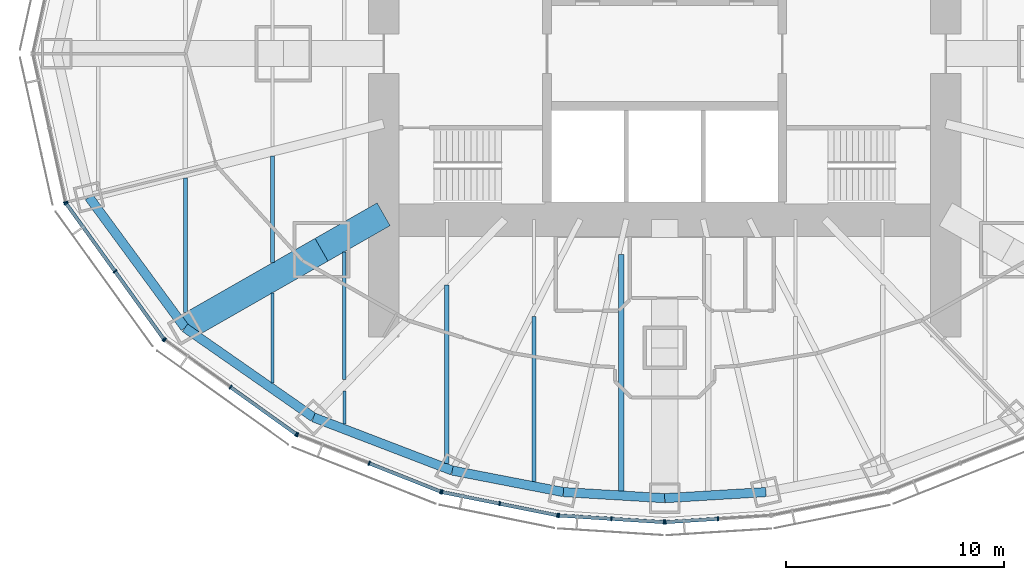
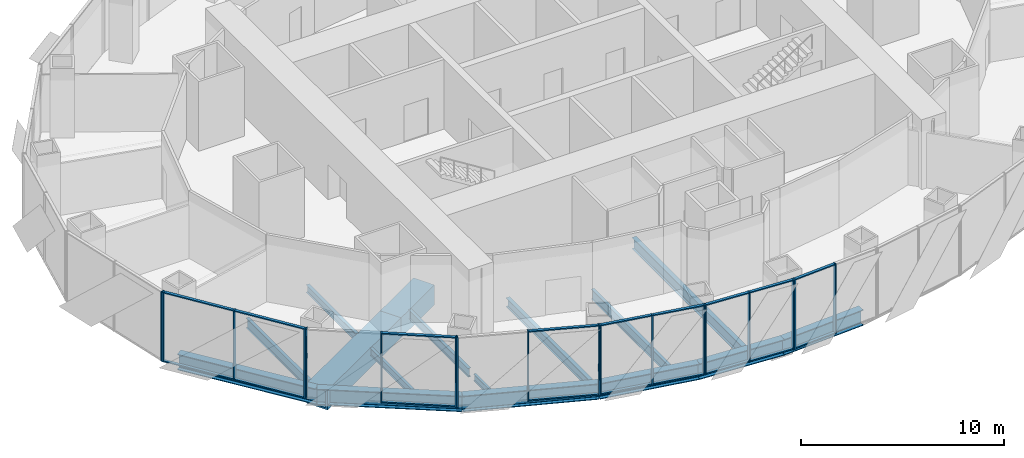
# One storey, part 2 of 17: 36 members, 16 beams, 7 elements without a shape of their own.
"""IFC4 building model written with IfcOpenShell, lengths in metres."""

from ifc_helpers import new_model, si_unit, direction, frame, origin, origin_2d, place, context, subcontext, project, spatial, rectangle, hollow_rectangle, i_section, extrude, material, material_profile, profile_set, type_object, element, aggregate, save


model = new_model("IFC4")

# Units and contexts
model_context = context("Model", 3, precision=1e-05, world=origin(), true_north=direction((0.0, 1.0)))
body_context = subcontext(model_context, "Body", "Model", "MODEL_VIEW")
ifc_project = project(units=[si_unit("LENGTHUNIT", "METRE"), si_unit("AREAUNIT", "SQUARE_METRE"), si_unit("VOLUMEUNIT", "CUBIC_METRE"), si_unit("PLANEANGLEUNIT", "RADIAN"), si_unit("MASSUNIT", "GRAM", prefix="KILO")], contexts=[model_context])

# Site, building, storey
site_placement = place(None, origin())
site = spatial("IfcSite", under=ifc_project, at=site_placement, CompositionType="ELEMENT")
building_placement = place(site_placement, origin())
building = spatial("IfcBuilding", under=site, at=building_placement, Name="Lantaw Convention Tower", CompositionType="ELEMENT")
storey_placement = place(building_placement, frame((0.0, 0.0, 117.39990234375)))
storey = spatial("IfcBuildingStorey", under=building, at=storey_placement, Name="L27", CompositionType="ELEMENT", Elevation=117.39990234375)

# Beams
ifc_material_1 = material(Name="Steel ASTM A992", Category="steel")
ifc_material_profile_1 = material_profile(ifc_material_1, i_section(OverallWidth=0.424072265625, OverallDepth=0.947509765625, WebThickness=0.02392578125, FlangeThickness=0.042724609375, FilletRadius=0.012451171875, at=origin_2d()), Name="W36X302")
ifc_profile_set_1 = profile_set([ifc_material_profile_1], Name="Steel ASTM A992")
beam_type_1 = type_object("IfcBeamType", Name="Beam BC W36X302", PredefinedType="SPANDREL", material=ifc_profile_set_1)
beam_1_placement = place(storey_placement, frame((-26.419921875, -6.587158203125, -0.62353515625), z_axis=(0.5923891972, -0.805651934176, 0.0), x_axis=(0.805651934176, 0.5923891972, 0.0)))
element("IfcBeam", 1, at=beam_1_placement, inside=storey, type_object=beam_type_1, Name="Belt truss chord 14", PredefinedType="SPANDREL", context=body_context, shape_type="SweptSolid", body=[
    extrude(i_section(OverallWidth=0.424072265625, OverallDepth=0.947509765625, WebThickness=0.02392578125, FlangeThickness=0.042724609375, FilletRadius=0.012451171875, at=origin_2d()), origin(), (0.0, 0.0, 1.0), 7.437744140625),
])
beam_2_placement = place(storey_placement, frame((-22.013916015625, -12.579345703125, -0.62353515625), z_axis=(0.820310765287, -0.57191804339, 0.0), x_axis=(0.57191804339, 0.820310765287, 0.0)))
element("IfcBeam", 2, at=beam_2_placement, inside=storey, type_object=beam_type_1, Name="Belt truss chord 15", PredefinedType="SPANDREL", context=body_context, shape_type="SweptSolid", body=[
    extrude(i_section(OverallWidth=0.424072265625, OverallDepth=0.947509765625, WebThickness=0.02392578125, FlangeThickness=0.042724609375, FilletRadius=0.012451171875, at=origin_2d()), origin(), (0.0, 0.0, 1.0), 7.187744140625),
])
beam_3_placement = place(storey_placement, frame((-16.11767578125, -16.690185546875, -0.62353515625), z_axis=(0.933691081977, -0.358079549033, 0.0), x_axis=(0.358079549033, 0.933691081977, 0.0)))
element("IfcBeam", 3, at=beam_3_placement, inside=storey, type_object=beam_type_1, Name="Belt truss chord 16", PredefinedType="SPANDREL", context=body_context, shape_type="SweptSolid", body=[
    extrude(i_section(OverallWidth=0.424072265625, OverallDepth=0.947509765625, WebThickness=0.02392578125, FlangeThickness=0.042724609375, FilletRadius=0.012451171875, at=origin_2d()), origin(), (0.0, 0.0, 1.0), 6.821533203125),
])
beam_4_placement = place(storey_placement, frame((-9.74853515625, -19.1328125, -0.62353515625), z_axis=(0.981796805654, -0.189934284446, 0.0), x_axis=(0.189934284446, 0.981796805654, 0.0)))
element("IfcBeam", 4, at=beam_4_placement, inside=storey, type_object=beam_type_1, Name="Belt truss chord 17", PredefinedType="SPANDREL", context=body_context, shape_type="SweptSolid", body=[
    extrude(i_section(OverallWidth=0.424072265625, OverallDepth=0.947509765625, WebThickness=0.02392578125, FlangeThickness=0.042724609375, FilletRadius=0.012451171875, at=origin_2d()), origin(), (0.0, 0.0, 1.0), 5.1982421875),
])
for number, where, z_axis, x_axis, name in (
    (5, (-4.64501953125, -20.1201171875, -0.62353515625), (0.998190892054, -0.06012439621, 0.0), (0.06012439621, 0.998190892054, 0.0), "Belt truss chord 18"),
    (6, (0.0, -20.39990234375, -0.62353515625), (0.998190892054, 0.06012439621, 0.0), (-0.06012439621, 0.998190892054, 0.0), "Belt truss chord 19"),
):
    element("IfcBeam", number, at=place(storey_placement, frame(where, z_axis=z_axis, x_axis=x_axis)), inside=storey, type_object=beam_type_1, Name=name, PredefinedType="SPANDREL", context=body_context, shape_type="SweptSolid", body=[
        extrude(i_section(OverallWidth=0.424072265625, OverallDepth=0.947509765625, WebThickness=0.02392578125, FlangeThickness=0.042724609375, FilletRadius=0.012451171875, at=origin_2d()), origin(), (0.0, 0.0, 1.0), 4.6533203125),
    ])
ifc_material_2 = material(Name="Steel EN 10025-3 S460N", Category="steel")
ifc_material_profile_2 = material_profile(ifc_material_2, hollow_rectangle(XDim=1.199951171875, YDim=1.199951171875, WallThickness=0.10009765625, at=origin_2d()), Name="BOX1200X100")
ifc_profile_set_2 = profile_set([ifc_material_profile_2], Name="Steel EN 10025-3 S460N")
beam_type_2 = type_object("IfcBeamType", Name="Beam G BOX1200X100", PredefinedType="BEAM", material=ifc_profile_set_2)
beam_5_placement = place(storey_placement, frame((-15.75, -9.0, -0.75), z_axis=(-0.868245224608, -0.496135293993, 0.0), x_axis=(0.496135293993, -0.868245224608, 0.0)))
element("IfcBeam", 7, at=beam_5_placement, inside=storey, type_object=beam_type_2, Name="Floor girder on ray 15", PredefinedType="BEAM", context=body_context, shape_type="SweptSolid", body=[
    extrude(hollow_rectangle(XDim=1.199951171875, YDim=1.199951171875, WallThickness=0.10009765625, at=origin_2d()), origin(), (0.0, 0.0, 1.0), 7.21435546875),
])
ifc_material_profile_3 = material_profile(ifc_material_1, i_section(OverallWidth=0.140380859375, OverallDepth=0.40380859375, WebThickness=0.007080078125, FlangeThickness=0.01123046875, FilletRadius=0.01025390625, at=origin_2d()), Name="W16X31")
ifc_profile_set_3 = profile_set([ifc_material_profile_3], Name="Steel ASTM A992")
beam_type_3 = type_object("IfcBeamType", Name="Beam J W16X31", PredefinedType="JOIST", material=ifc_profile_set_3)
beam_6_placement = place(storey_placement, frame((-14.699951171875, -17.0068359375, -0.351806640625), z_axis=(0.0, 1.0, 0.0), x_axis=(-1.0, 0.0, 0.0)))
element("IfcBeam", 8, at=beam_6_placement, inside=storey, type_object=beam_type_3, Name="Floor joist", PredefinedType="JOIST", context=body_context, shape_type="SweptSolid", body=[
    extrude(i_section(OverallWidth=0.140380859375, OverallDepth=0.40380859375, WebThickness=0.007080078125, FlangeThickness=0.01123046875, FilletRadius=0.01025390625, at=origin_2d()), origin(), (0.0, 0.0, 1.0), 1.52490234375),
])
ifc_material_profile_4 = material_profile(ifc_material_1, i_section(OverallWidth=0.15234375, OverallDepth=0.449462890625, WebThickness=0.007568359375, FlangeThickness=0.0107421875, FilletRadius=0.01025390625, at=origin_2d()), Name="W18X35")
ifc_profile_set_4 = profile_set([ifc_material_profile_4], Name="Steel ASTM A992")
beam_type_4 = type_object("IfcBeamType", Name="Beam J W18X35", PredefinedType="JOIST", material=ifc_profile_set_4)
beam_7_placement = place(storey_placement, frame((-18.0, -15.119384765625, -0.374755859375), z_axis=(0.0, 1.0, 0.0), x_axis=(-1.0, 0.0, 0.0)))
element("IfcBeam", 9, at=beam_7_placement, inside=storey, type_object=beam_type_4, Name="Floor joist", PredefinedType="JOIST", context=body_context, shape_type="SweptSolid", body=[
    extrude(i_section(OverallWidth=0.15234375, OverallDepth=0.449462890625, WebThickness=0.007568359375, FlangeThickness=0.0107421875, FilletRadius=0.01025390625, at=origin_2d()), origin(), (0.0, 0.0, 1.0), 4.142578125),
])
ifc_material_profile_5 = material_profile(ifc_material_1, i_section(OverallWidth=0.1904296875, OverallDepth=0.457275390625, WebThickness=0.009033203125, FlangeThickness=0.014404296875, FilletRadius=0.01025390625, at=origin_2d()), Name="W18X50")
ifc_profile_set_5 = profile_set([ifc_material_profile_5], Name="Steel ASTM A992")
beam_type_5 = type_object("IfcBeamType", Name="Beam J W18X50", PredefinedType="JOIST", material=ifc_profile_set_5)
beam_8_placement = place(storey_placement, frame((-18.0, -9.5947265625, -0.37841796875), z_axis=(0.0, 1.0, 0.0), x_axis=(-1.0, 0.0, 0.0)))
element("IfcBeam", 10, at=beam_8_placement, inside=storey, type_object=beam_type_5, Name="Floor joist", PredefinedType="JOIST", context=body_context, shape_type="SweptSolid", body=[
    extrude(i_section(OverallWidth=0.1904296875, OverallDepth=0.457275390625, WebThickness=0.009033203125, FlangeThickness=0.014404296875, FilletRadius=0.01025390625, at=origin_2d()), origin(), (0.0, 0.0, 1.0), 4.8896484375),
])
ifc_material_profile_6 = material_profile(ifc_material_1, i_section(OverallWidth=0.1650390625, OverallDepth=0.52587890625, WebThickness=0.0087890625, FlangeThickness=0.011474609375, FilletRadius=0.0126953125, at=origin_2d()), Name="W21X44")
ifc_profile_set_6 = profile_set([ifc_material_profile_6], Name="Steel ASTM A992")
beam_type_6 = type_object("IfcBeamType", Name="Beam J W21X44", PredefinedType="JOIST", material=ifc_profile_set_6)
beam_9_placement = place(storey_placement, frame((-14.699951171875, -14.962646484375, -0.412841796875), z_axis=(0.0, 1.0, 0.0), x_axis=(-1.0, 0.0, 0.0)))
element("IfcBeam", 11, at=beam_9_placement, inside=storey, type_object=beam_type_6, Name="Floor joist", PredefinedType="JOIST", context=body_context, shape_type="SweptSolid", body=[
    extrude(i_section(OverallWidth=0.1650390625, OverallDepth=0.52587890625, WebThickness=0.0087890625, FlangeThickness=0.011474609375, FilletRadius=0.0126953125, at=origin_2d()), origin(), (0.0, 0.0, 1.0), 5.87158203125),
])
ifc_material_profile_7 = material_profile(ifc_material_1, i_section(OverallWidth=0.2099609375, OverallDepth=0.535888671875, WebThickness=0.010986328125, FlangeThickness=0.017333984375, FilletRadius=0.012939453125, at=origin_2d()), Name="W21X68")
ifc_profile_set_7 = profile_set([ifc_material_profile_7], Name="Steel ASTM A992")
beam_type_7 = type_object("IfcBeamType", Name="Beam J W21X68", PredefinedType="JOIST", material=ifc_profile_set_7)
beam_10_placement = place(storey_placement, frame((-10.0, -18.80908203125, -0.41796875), z_axis=(0.0, 1.0, 0.0), x_axis=(-1.0, 0.0, 0.0)))
element("IfcBeam", 12, at=beam_10_placement, inside=storey, type_object=beam_type_7, Name="Floor joist", PredefinedType="JOIST", context=body_context, shape_type="SweptSolid", body=[
    extrude(i_section(OverallWidth=0.2099609375, OverallDepth=0.535888671875, WebThickness=0.010986328125, FlangeThickness=0.017333984375, FilletRadius=0.012939453125, at=origin_2d()), origin(), (0.0, 0.0, 1.0), 8.194091796875),
])
ifc_material_profile_8 = material_profile(ifc_material_1, i_section(OverallWidth=0.177978515625, OverallDepth=0.599365234375, WebThickness=0.010009765625, FlangeThickness=0.012939453125, FilletRadius=0.012939453125, at=origin_2d()), Name="W24X55")
ifc_profile_set_8 = profile_set([ifc_material_profile_8], Name="Steel ASTM A992")
beam_type_8 = type_object("IfcBeamType", Name="Beam J W24X55", PredefinedType="JOIST", material=ifc_profile_set_8)
beam_11_placement = place(storey_placement, frame((-22.0, -11.88037109375, -0.44970703125), z_axis=(0.0, 1.0, 0.0), x_axis=(-1.0, 0.0, 0.0)))
element("IfcBeam", 13, at=beam_11_placement, inside=storey, type_object=beam_type_8, Name="Floor joist", PredefinedType="JOIST", context=body_context, shape_type="SweptSolid", body=[
    extrude(i_section(OverallWidth=0.177978515625, OverallDepth=0.599365234375, WebThickness=0.010009765625, FlangeThickness=0.012939453125, FilletRadius=0.012939453125, at=origin_2d()), origin(), (0.0, 0.0, 1.0), 6.177978515625),
])
beam_12_placement = place(storey_placement, frame((-6.0, -19.641845703125, -0.44970703125), z_axis=(0.0, 1.0, 0.0), x_axis=(-1.0, 0.0, 0.0)))
element("IfcBeam", 14, at=beam_12_placement, inside=storey, type_object=beam_type_8, Name="Floor joist", PredefinedType="JOIST", context=body_context, shape_type="SweptSolid", body=[
    extrude(i_section(OverallWidth=0.177978515625, OverallDepth=0.599365234375, WebThickness=0.010009765625, FlangeThickness=0.012939453125, FilletRadius=0.012939453125, at=origin_2d()), origin(), (0.0, 0.0, 1.0), 7.572509765625),
])
ifc_material_profile_9 = material_profile(ifc_material_1, i_section(OverallWidth=0.25390625, OverallDepth=0.683349609375, WebThickness=0.012451171875, FlangeThickness=0.01904296875, FilletRadius=0.01513671875, at=origin_2d()), Name="W27X94")
ifc_profile_set_9 = profile_set([ifc_material_profile_9], Name="Steel ASTM A992")
beam_type_9 = type_object("IfcBeamType", Name="Beam J W27X94", PredefinedType="JOIST", material=ifc_profile_set_9)
beam_13_placement = place(storey_placement, frame((-2.0, -20.06689453125, -0.491455078125), z_axis=(0.0, 1.0, 0.0), x_axis=(-1.0, 0.0, 0.0)))
element("IfcBeam", 15, at=beam_13_placement, inside=storey, type_object=beam_type_9, Name="Floor joist", PredefinedType="JOIST", context=body_context, shape_type="SweptSolid", body=[
    extrude(i_section(OverallWidth=0.25390625, OverallDepth=0.683349609375, WebThickness=0.012451171875, FlangeThickness=0.01904296875, FilletRadius=0.01513671875, at=origin_2d()), origin(), (0.0, 0.0, 1.0), 10.83935546875),
])
ifc_material_profile_10 = material_profile(ifc_material_2, hollow_rectangle(XDim=1.199951171875, YDim=1.199951171875, WallThickness=0.10009765625, at=origin_2d()), Name="BOX1200X100")
ifc_profile_set_10 = profile_set([ifc_material_profile_10], Name="Steel EN 10025-3 S460N")
beam_type_10 = type_object("IfcBeamType", Name="Beam OC BOX1200X100", PredefinedType="BEAM", material=ifc_profile_set_10)
beam_14_placement = place(storey_placement, frame((-12.89990234375, -7.371337890625, -0.75), z_axis=(-0.868238565244, -0.496146947811, 0.0), x_axis=(0.496146947811, -0.868238565244, 0.0)))
element("IfcBeam", 16, at=beam_14_placement, inside=storey, type_object=beam_type_10, Name="Outrigger chord on ray 15", PredefinedType="BEAM", context=body_context, shape_type="SweptSolid", body=[
    extrude(hollow_rectangle(XDim=1.199951171875, YDim=1.199951171875, WallThickness=0.10009765625, at=origin_2d()), origin(), (0.0, 0.0, 1.0), 3.28271484375),
])

# Curtain wall, member
ifc_material_3 = material(Name="Aluminium framed curtain wall", Category="aluminium")
curtain_wall_type = type_object("IfcCurtainWallType", Name="Office curtain wall low rise, pale aluminium", PredefinedType="USERDEFINED", material=ifc_material_3)
curtain_wall_1_placement = place(storey_placement, origin())
curtain_wall_1 = element("IfcCurtainWall", 17, at=curtain_wall_1_placement, inside=storey, type_object=curtain_wall_type, Name="Office curtain wall low rise, pale aluminium L27", ObjectType="UNITISED CURTAIN WALL", PredefinedType="USERDEFINED")
ifc_material_4 = material(Name="Aluminium 6063-T6", Category="aluminium")
ifc_material_profile_11 = material_profile(ifc_material_4, rectangle(XDim=0.199951171875, YDim=0.06494140625, at=origin_2d()), Name="CW-O1 mullion 65x200")
ifc_profile_set_11 = profile_set([ifc_material_profile_11], Name="Aluminium 6063-T6")
member_type_1 = type_object("IfcMemberType", Name="CW-O1 mullion 65x200", PredefinedType="MULLION", material=ifc_profile_set_11)
member_1_placement = place(storey_placement, frame((-27.494140625, -6.821533203125, -0.14990234375), z_axis=(0.0, 0.0, 1.0), x_axis=(0.9764936509, 0.215546166174, 0.0)))
member_1 = element("IfcMember", 18, at=member_1_placement, type_object=member_type_1, Name="CW-O1 mullion 3", PredefinedType="MULLION", context=body_context, shape_type="SweptSolid", body=[
    extrude(rectangle(XDim=0.199951171875, YDim=0.06494140625, at=origin_2d()), origin(), (0.0, 0.0, 1.0), 4.199951171875),
])
aggregate(curtain_wall_1, [member_1])

# Curtain wall, members
curtain_wall_2_placement = place(storey_placement, origin())
curtain_wall_2 = element("IfcCurtainWall", 19, at=curtain_wall_2_placement, inside=storey, type_object=curtain_wall_type, Name="Office curtain wall low rise, pale aluminium L27", ObjectType="UNITISED CURTAIN WALL", PredefinedType="USERDEFINED")
member_2_placement = place(storey_placement, frame((-27.46826171875, -6.879638671875, -0.14990234375), z_axis=(0.0, 0.0, 1.0), x_axis=(0.811384633629, 0.584512597221, 0.0)))
member_2 = element("IfcMember", 20, at=member_2_placement, type_object=member_type_1, Name="CW-O1 mullion 1", PredefinedType="MULLION", context=body_context, shape_type="SweptSolid", body=[
    extrude(rectangle(XDim=0.199951171875, YDim=0.06494140625, at=origin_2d()), origin(), (0.0, 0.0, 1.0), 4.199951171875),
])
member_3_placement = place(storey_placement, frame((-25.22802734375, -9.9892578125, -0.14990234375), z_axis=(0.0, 0.0, 1.0), x_axis=(0.811384633629, 0.584512597221, 0.0)))
member_3 = element("IfcMember", 21, at=member_3_placement, type_object=member_type_1, Name="CW-O1 mullion 2", PredefinedType="MULLION", context=body_context, shape_type="SweptSolid", body=[
    extrude(rectangle(XDim=0.199951171875, YDim=0.06494140625, at=origin_2d()), origin(), (0.0, 0.0, 1.0), 4.199951171875),
])
member_4_placement = place(storey_placement, frame((-22.988037109375, -13.098876953125, -0.14990234375), z_axis=(0.0, 0.0, 1.0), x_axis=(0.811384633629, 0.584512597221, 0.0)))
member_4 = element("IfcMember", 22, at=member_4_placement, type_object=member_type_1, Name="CW-O1 mullion 3", PredefinedType="MULLION", context=body_context, shape_type="SweptSolid", body=[
    extrude(rectangle(XDim=0.199951171875, YDim=0.06494140625, at=origin_2d()), origin(), (0.0, 0.0, 1.0), 4.199951171875),
])

curtain_wall_3_placement = place(storey_placement, origin())
curtain_wall_3 = element("IfcCurtainWall", 23, at=curtain_wall_3_placement, inside=storey, type_object=curtain_wall_type, Name="Office curtain wall low rise, pale aluminium L27", ObjectType="UNITISED CURTAIN WALL", PredefinedType="USERDEFINED")
member_5_placement = place(storey_placement, frame((-22.942626953125, -13.14404296875, -0.14990234375), z_axis=(0.0, 0.0, 1.0), x_axis=(0.581972695693, 0.813208325995, 0.0)))
member_5 = element("IfcMember", 24, at=member_5_placement, type_object=member_type_1, Name="CW-O1 mullion 1", PredefinedType="MULLION", context=body_context, shape_type="SweptSolid", body=[
    extrude(rectangle(XDim=0.199951171875, YDim=0.06494140625, at=origin_2d()), origin(), (0.0, 0.0, 1.0), 4.199951171875),
])
member_6_placement = place(storey_placement, frame((-19.92529296875, -15.303466796875, -0.14990234375), z_axis=(0.0, 0.0, 1.0), x_axis=(0.581972695693, 0.813208325995, 0.0)))
member_6 = element("IfcMember", 25, at=member_6_placement, type_object=member_type_1, Name="CW-O1 mullion 2", PredefinedType="MULLION", context=body_context, shape_type="SweptSolid", body=[
    extrude(rectangle(XDim=0.199951171875, YDim=0.06494140625, at=origin_2d()), origin(), (0.0, 0.0, 1.0), 4.199951171875),
])
member_7_placement = place(storey_placement, frame((-16.908203125, -17.462646484375, -0.14990234375), z_axis=(0.0, 0.0, 1.0), x_axis=(0.581972695693, 0.813208325995, 0.0)))
member_7 = element("IfcMember", 26, at=member_7_placement, type_object=member_type_1, Name="CW-O1 mullion 3", PredefinedType="MULLION", context=body_context, shape_type="SweptSolid", body=[
    extrude(rectangle(XDim=0.199951171875, YDim=0.06494140625, at=origin_2d()), origin(), (0.0, 0.0, 1.0), 4.199951171875),
])

curtain_wall_4_placement = place(storey_placement, origin())
curtain_wall_4 = element("IfcCurtainWall", 27, at=curtain_wall_4_placement, inside=storey, type_object=curtain_wall_type, Name="Office curtain wall low rise, pale aluminium L27", ObjectType="UNITISED CURTAIN WALL", PredefinedType="USERDEFINED")
member_8_placement = place(storey_placement, frame((-16.8515625, -17.49365234375, -0.14990234375), z_axis=(0.0, 0.0, 1.0), x_axis=(0.368701907483, 0.929547687544, 0.0)))
member_8 = element("IfcMember", 28, at=member_8_placement, type_object=member_type_1, Name="CW-O1 mullion 1", PredefinedType="MULLION", context=body_context, shape_type="SweptSolid", body=[
    extrude(rectangle(XDim=0.199951171875, YDim=0.06494140625, at=origin_2d()), origin(), (0.0, 0.0, 1.0), 4.199951171875),
])
member_9_placement = place(storey_placement, frame((-13.56494140625, -18.797119140625, -0.14990234375), z_axis=(0.0, 0.0, 1.0), x_axis=(0.368701907483, 0.929547687544, 0.0)))
member_9 = element("IfcMember", 29, at=member_9_placement, type_object=member_type_1, Name="CW-O1 mullion 2", PredefinedType="MULLION", context=body_context, shape_type="SweptSolid", body=[
    extrude(rectangle(XDim=0.199951171875, YDim=0.06494140625, at=origin_2d()), origin(), (0.0, 0.0, 1.0), 4.199951171875),
])
member_10_placement = place(storey_placement, frame((-10.2783203125, -20.100830078125, -0.14990234375), z_axis=(0.0, 0.0, 1.0), x_axis=(0.368701907483, 0.929547687544, 0.0)))
member_10 = element("IfcMember", 30, at=member_10_placement, type_object=member_type_1, Name="CW-O1 mullion 3", PredefinedType="MULLION", context=body_context, shape_type="SweptSolid", body=[
    extrude(rectangle(XDim=0.199951171875, YDim=0.06494140625, at=origin_2d()), origin(), (0.0, 0.0, 1.0), 4.199951171875),
])

curtain_wall_5_placement = place(storey_placement, origin())
curtain_wall_5 = element("IfcCurtainWall", 31, at=curtain_wall_5_placement, inside=storey, type_object=curtain_wall_type, Name="Office curtain wall low rise, pale aluminium L27", ObjectType="UNITISED CURTAIN WALL", PredefinedType="USERDEFINED")
member_11_placement = place(storey_placement, frame((-10.216064453125, -20.119140625, -0.14990234375), z_axis=(0.0, 0.0, 1.0), x_axis=(0.197506809659, 0.980301514912, 0.0)))
member_11 = element("IfcMember", 32, at=member_11_placement, type_object=member_type_1, Name="CW-O1 mullion 1", PredefinedType="MULLION", context=body_context, shape_type="SweptSolid", body=[
    extrude(rectangle(XDim=0.199951171875, YDim=0.06494140625, at=origin_2d()), origin(), (0.0, 0.0, 1.0), 4.199951171875),
])
member_12_placement = place(storey_placement, frame((-7.5703125, -20.65234375, -0.14990234375), z_axis=(0.0, 0.0, 1.0), x_axis=(0.197506809659, 0.980301514912, 0.0)))
member_12 = element("IfcMember", 33, at=member_12_placement, type_object=member_type_1, Name="CW-O1 mullion 2", PredefinedType="MULLION", context=body_context, shape_type="SweptSolid", body=[
    extrude(rectangle(XDim=0.199951171875, YDim=0.06494140625, at=origin_2d()), origin(), (0.0, 0.0, 1.0), 4.199951171875),
])
member_13_placement = place(storey_placement, frame((-4.92431640625, -21.185302734375, -0.14990234375), z_axis=(0.0, 0.0, 1.0), x_axis=(0.197506809659, 0.980301514912, 0.0)))
member_13 = element("IfcMember", 34, at=member_13_placement, type_object=member_type_1, Name="CW-O1 mullion 3", PredefinedType="MULLION", context=body_context, shape_type="SweptSolid", body=[
    extrude(rectangle(XDim=0.199951171875, YDim=0.06494140625, at=origin_2d()), origin(), (0.0, 0.0, 1.0), 4.199951171875),
])

curtain_wall_6_placement = place(storey_placement, origin())
curtain_wall_6 = element("IfcCurtainWall", 35, at=curtain_wall_6_placement, inside=storey, type_object=curtain_wall_type, Name="Office curtain wall low rise, pale aluminium L27", ObjectType="UNITISED CURTAIN WALL", PredefinedType="USERDEFINED")
member_14_placement = place(storey_placement, frame((-4.860107421875, -21.19384765625, -0.14990234375), z_axis=(0.0, 0.0, 1.0), x_axis=(0.062865059466, 0.998022035978, 0.0)))
member_14 = element("IfcMember", 36, at=member_14_placement, type_object=member_type_1, Name="CW-O1 mullion 1", PredefinedType="MULLION", context=body_context, shape_type="SweptSolid", body=[
    extrude(rectangle(XDim=0.199951171875, YDim=0.06494140625, at=origin_2d()), origin(), (0.0, 0.0, 1.0), 4.199951171875),
])
member_15_placement = place(storey_placement, frame((-2.4462890625, -21.345947265625, -0.14990234375), z_axis=(0.0, 0.0, 1.0), x_axis=(0.062865059466, 0.998022035978, 0.0)))
member_15 = element("IfcMember", 37, at=member_15_placement, type_object=member_type_1, Name="CW-O1 mullion 2", PredefinedType="MULLION", context=body_context, shape_type="SweptSolid", body=[
    extrude(rectangle(XDim=0.199951171875, YDim=0.06494140625, at=origin_2d()), origin(), (0.0, 0.0, 1.0), 4.199951171875),
])
member_16_placement = place(storey_placement, frame((-0.032470703125, -21.498046875, -0.14990234375), z_axis=(0.0, 0.0, 1.0), x_axis=(0.062865059466, 0.998022035978, 0.0)))
member_16 = element("IfcMember", 38, at=member_16_placement, type_object=member_type_1, Name="CW-O1 mullion 3", PredefinedType="MULLION", context=body_context, shape_type="SweptSolid", body=[
    extrude(rectangle(XDim=0.199951171875, YDim=0.06494140625, at=origin_2d()), origin(), (0.0, 0.0, 1.0), 4.199951171875),
])

curtain_wall_7_placement = place(storey_placement, origin())
curtain_wall_7 = element("IfcCurtainWall", 39, at=curtain_wall_7_placement, inside=storey, type_object=curtain_wall_type, Name="Office curtain wall low rise, pale aluminium L27", ObjectType="UNITISED CURTAIN WALL", PredefinedType="USERDEFINED")
member_17_placement = place(storey_placement, frame((0.032470703125, -21.498046875, -0.14990234375), z_axis=(0.0, 0.0, 1.0), x_axis=(-0.062865059466, 0.998022035978, 0.0)))
member_17 = element("IfcMember", 40, at=member_17_placement, type_object=member_type_1, Name="CW-O1 mullion 1", PredefinedType="MULLION", context=body_context, shape_type="SweptSolid", body=[
    extrude(rectangle(XDim=0.199951171875, YDim=0.06494140625, at=origin_2d()), origin(), (0.0, 0.0, 1.0), 4.199951171875),
])
member_18_placement = place(storey_placement, frame((2.4462890625, -21.345947265625, -0.14990234375), z_axis=(0.0, 0.0, 1.0), x_axis=(-0.062865059466, 0.998022035978, 0.0)))
member_18 = element("IfcMember", 41, at=member_18_placement, type_object=member_type_1, Name="CW-O1 mullion 2", PredefinedType="MULLION", context=body_context, shape_type="SweptSolid", body=[
    extrude(rectangle(XDim=0.199951171875, YDim=0.06494140625, at=origin_2d()), origin(), (0.0, 0.0, 1.0), 4.199951171875),
])

# Member
ifc_material_profile_12 = material_profile(ifc_material_4, rectangle(XDim=0.159912109375, YDim=0.06494140625, at=origin_2d()), Name="CW-O1 transom 65x160")
ifc_profile_set_12 = profile_set([ifc_material_profile_12], Name="Aluminium 6063-T6")
member_type_2 = type_object("IfcMemberType", Name="CW-O1 transom 65x160", PredefinedType="USERDEFINED", material=ifc_profile_set_12)
member_19_placement = place(storey_placement, frame((-27.44921875, -6.906005859375, -0.117431640625), z_axis=(0.584512973979, -0.811384362217, 0.0), x_axis=(0.811384362217, 0.584512973979, 0.0)))
member_19 = element("IfcMember", 42, at=member_19_placement, type_object=member_type_2, Name="CW-O1 transom 1.1", ObjectType="TRANSOM", PredefinedType="USERDEFINED", context=body_context, shape_type="SweptSolid", body=[
    extrude(rectangle(XDim=0.159912109375, YDim=0.06494140625, at=origin_2d()), origin(), (0.0, 0.0, 1.0), 3.767578125),
])

member_20_placement = place(storey_placement, frame((-27.44921875, -6.906005859375, 4.017578125), z_axis=(0.584512973979, -0.811384362217, 0.0), x_axis=(0.811384362217, 0.584512973979, 0.0)))
member_20 = element("IfcMember", 43, at=member_20_placement, type_object=member_type_2, Name="CW-O1 transom 1.2", ObjectType="TRANSOM", PredefinedType="USERDEFINED", context=body_context, shape_type="SweptSolid", body=[
    extrude(rectangle(XDim=0.159912109375, YDim=0.06494140625, at=origin_2d()), origin(), (0.0, 0.0, 1.0), 3.767578125),
])

member_21_placement = place(storey_placement, frame((-25.209228515625, -10.015625, -0.117431640625), z_axis=(0.584512973979, -0.811384362217, 0.0), x_axis=(0.811384362217, 0.584512973979, 0.0)))
member_21 = element("IfcMember", 44, at=member_21_placement, type_object=member_type_2, Name="CW-O1 transom 2.1", ObjectType="TRANSOM", PredefinedType="USERDEFINED", context=body_context, shape_type="SweptSolid", body=[
    extrude(rectangle(XDim=0.159912109375, YDim=0.06494140625, at=origin_2d()), origin(), (0.0, 0.0, 1.0), 3.767578125),
])

member_22_placement = place(storey_placement, frame((-25.209228515625, -10.015625, 4.017578125), z_axis=(0.584512973979, -0.811384362217, 0.0), x_axis=(0.811384362217, 0.584512973979, 0.0)))
member_22 = element("IfcMember", 45, at=member_22_placement, type_object=member_type_2, Name="CW-O1 transom 2.2", ObjectType="TRANSOM", PredefinedType="USERDEFINED", context=body_context, shape_type="SweptSolid", body=[
    extrude(rectangle(XDim=0.159912109375, YDim=0.06494140625, at=origin_2d()), origin(), (0.0, 0.0, 1.0), 3.767578125),
])

aggregate(curtain_wall_2, [member_2, member_3, member_4, member_19, member_20, member_21, member_22])

member_23_placement = place(storey_placement, frame((-19.89892578125, -15.322265625, -0.117431640625), z_axis=(0.813190089133, -0.581998177777, 0.0), x_axis=(0.581998177777, 0.813190089133, 0.0)))
member_23 = element("IfcMember", 46, at=member_23_placement, type_object=member_type_2, Name="CW-O1 transom 2.1", ObjectType="TRANSOM", PredefinedType="USERDEFINED", context=body_context, shape_type="SweptSolid", body=[
    extrude(rectangle(XDim=0.159912109375, YDim=0.06494140625, at=origin_2d()), origin(), (0.0, 0.0, 1.0), 3.645263671875),
])

member_24_placement = place(storey_placement, frame((-19.89892578125, -15.322265625, 4.017578125), z_axis=(0.813190089133, -0.581998177777, 0.0), x_axis=(0.581998177777, 0.813190089133, 0.0)))
member_24 = element("IfcMember", 47, at=member_24_placement, type_object=member_type_2, Name="CW-O1 transom 2.2", ObjectType="TRANSOM", PredefinedType="USERDEFINED", context=body_context, shape_type="SweptSolid", body=[
    extrude(rectangle(XDim=0.159912109375, YDim=0.06494140625, at=origin_2d()), origin(), (0.0, 0.0, 1.0), 3.645263671875),
])

aggregate(curtain_wall_3, [member_5, member_6, member_7, member_23, member_24])

member_25_placement = place(storey_placement, frame((-13.53466796875, -18.80908203125, -0.117431640625), z_axis=(0.929540081544, -0.368721082668, 0.0), x_axis=(0.368721082668, 0.929540081544, 0.0)))
member_25 = element("IfcMember", 48, at=member_25_placement, type_object=member_type_2, Name="CW-O1 transom 2.1", ObjectType="TRANSOM", PredefinedType="USERDEFINED", context=body_context, shape_type="SweptSolid", body=[
    extrude(rectangle(XDim=0.159912109375, YDim=0.06494140625, at=origin_2d()), origin(), (0.0, 0.0, 1.0), 3.470947265625),
])

member_26_placement = place(storey_placement, frame((-13.53466796875, -18.80908203125, 4.017578125), z_axis=(0.929540081544, -0.368721082668, 0.0), x_axis=(0.368721082668, 0.929540081544, 0.0)))
member_26 = element("IfcMember", 49, at=member_26_placement, type_object=member_type_2, Name="CW-O1 transom 2.2", ObjectType="TRANSOM", PredefinedType="USERDEFINED", context=body_context, shape_type="SweptSolid", body=[
    extrude(rectangle(XDim=0.159912109375, YDim=0.06494140625, at=origin_2d()), origin(), (0.0, 0.0, 1.0), 3.470947265625),
])

aggregate(curtain_wall_4, [member_8, member_9, member_10, member_25, member_26])

member_27_placement = place(storey_placement, frame((-10.184326171875, -20.125732421875, -0.117431640625), z_axis=(0.980301643003, -0.197506173891, 0.0), x_axis=(0.197506173891, 0.980301643003, 0.0)))
member_27 = element("IfcMember", 50, at=member_27_placement, type_object=member_type_2, Name="CW-O1 transom 1.1", ObjectType="TRANSOM", PredefinedType="USERDEFINED", context=body_context, shape_type="SweptSolid", body=[
    extrude(rectangle(XDim=0.159912109375, YDim=0.06494140625, at=origin_2d()), origin(), (0.0, 0.0, 1.0), 2.63427734375),
])

member_28_placement = place(storey_placement, frame((-10.184326171875, -20.125732421875, 4.017578125), z_axis=(0.980301643003, -0.197506173891, 0.0), x_axis=(0.197506173891, 0.980301643003, 0.0)))
member_28 = element("IfcMember", 51, at=member_28_placement, type_object=member_type_2, Name="CW-O1 transom 1.2", ObjectType="TRANSOM", PredefinedType="USERDEFINED", context=body_context, shape_type="SweptSolid", body=[
    extrude(rectangle(XDim=0.159912109375, YDim=0.06494140625, at=origin_2d()), origin(), (0.0, 0.0, 1.0), 2.63427734375),
])

member_29_placement = place(storey_placement, frame((-7.538330078125, -20.65869140625, -0.117431640625), z_axis=(0.980298027092, -0.197524120247, 0.0), x_axis=(0.197524120247, 0.980298027092, 0.0)))
member_29 = element("IfcMember", 52, at=member_29_placement, type_object=member_type_2, Name="CW-O1 transom 2.1", ObjectType="TRANSOM", PredefinedType="USERDEFINED", context=body_context, shape_type="SweptSolid", body=[
    extrude(rectangle(XDim=0.159912109375, YDim=0.06494140625, at=origin_2d()), origin(), (0.0, 0.0, 1.0), 2.634033203125),
])

member_30_placement = place(storey_placement, frame((-7.538330078125, -20.65869140625, 4.017578125), z_axis=(0.980298027092, -0.197524120247, 0.0), x_axis=(0.197524120247, 0.980298027092, 0.0)))
member_30 = element("IfcMember", 53, at=member_30_placement, type_object=member_type_2, Name="CW-O1 transom 2.2", ObjectType="TRANSOM", PredefinedType="USERDEFINED", context=body_context, shape_type="SweptSolid", body=[
    extrude(rectangle(XDim=0.159912109375, YDim=0.06494140625, at=origin_2d()), origin(), (0.0, 0.0, 1.0), 2.634033203125),
])

aggregate(curtain_wall_5, [member_11, member_12, member_13, member_27, member_28, member_29, member_30])

member_31_placement = place(storey_placement, frame((-4.82763671875, -21.19580078125, -0.117431640625), z_axis=(0.998022188463, -0.062862638625, 0.0), x_axis=(0.062862638625, 0.998022188463, 0.0)))
member_31 = element("IfcMember", 54, at=member_31_placement, type_object=member_type_2, Name="CW-O1 transom 1.1", ObjectType="TRANSOM", PredefinedType="USERDEFINED", context=body_context, shape_type="SweptSolid", body=[
    extrude(rectangle(XDim=0.159912109375, YDim=0.06494140625, at=origin_2d()), origin(), (0.0, 0.0, 1.0), 2.353515625),
])

member_32_placement = place(storey_placement, frame((-4.82763671875, -21.19580078125, 4.017578125), z_axis=(0.998022188463, -0.062862638625, 0.0), x_axis=(0.062862638625, 0.998022188463, 0.0)))
member_32 = element("IfcMember", 55, at=member_32_placement, type_object=member_type_2, Name="CW-O1 transom 1.2", ObjectType="TRANSOM", PredefinedType="USERDEFINED", context=body_context, shape_type="SweptSolid", body=[
    extrude(rectangle(XDim=0.159912109375, YDim=0.06494140625, at=origin_2d()), origin(), (0.0, 0.0, 1.0), 2.353515625),
])

member_33_placement = place(storey_placement, frame((-2.413818359375, -21.347900390625, -0.117431640625), z_axis=(0.998022188463, -0.062862638625, 0.0), x_axis=(0.062862638625, 0.998022188463, 0.0)))
member_33 = element("IfcMember", 56, at=member_33_placement, type_object=member_type_2, Name="CW-O1 transom 2.1", ObjectType="TRANSOM", PredefinedType="USERDEFINED", context=body_context, shape_type="SweptSolid", body=[
    extrude(rectangle(XDim=0.159912109375, YDim=0.06494140625, at=origin_2d()), origin(), (0.0, 0.0, 1.0), 2.353515625),
])

member_34_placement = place(storey_placement, frame((-2.413818359375, -21.347900390625, 4.017578125), z_axis=(0.998022188463, -0.062862638625, 0.0), x_axis=(0.062862638625, 0.998022188463, 0.0)))
member_34 = element("IfcMember", 57, at=member_34_placement, type_object=member_type_2, Name="CW-O1 transom 2.2", ObjectType="TRANSOM", PredefinedType="USERDEFINED", context=body_context, shape_type="SweptSolid", body=[
    extrude(rectangle(XDim=0.159912109375, YDim=0.06494140625, at=origin_2d()), origin(), (0.0, 0.0, 1.0), 2.353515625),
])

aggregate(curtain_wall_6, [member_14, member_15, member_16, member_31, member_32, member_33, member_34])

member_35_placement = place(storey_placement, frame((0.06494140625, -21.495849609375, -0.117431640625), z_axis=(0.998022188463, 0.062862638625, 0.0), x_axis=(-0.062862638625, 0.998022188463, 0.0)))
member_35 = element("IfcMember", 58, at=member_35_placement, type_object=member_type_2, Name="CW-O1 transom 1.1", ObjectType="TRANSOM", PredefinedType="USERDEFINED", context=body_context, shape_type="SweptSolid", body=[
    extrude(rectangle(XDim=0.159912109375, YDim=0.06494140625, at=origin_2d()), origin(), (0.0, 0.0, 1.0), 2.353515625),
])

member_36_placement = place(storey_placement, frame((0.06494140625, -21.495849609375, 4.017578125), z_axis=(0.998022188463, 0.062862638625, 0.0), x_axis=(-0.062862638625, 0.998022188463, 0.0)))
member_36 = element("IfcMember", 59, at=member_36_placement, type_object=member_type_2, Name="CW-O1 transom 1.2", ObjectType="TRANSOM", PredefinedType="USERDEFINED", context=body_context, shape_type="SweptSolid", body=[
    extrude(rectangle(XDim=0.159912109375, YDim=0.06494140625, at=origin_2d()), origin(), (0.0, 0.0, 1.0), 2.353515625),
])

aggregate(curtain_wall_7, [member_17, member_18, member_35, member_36])

save(model, "model.ifc")
